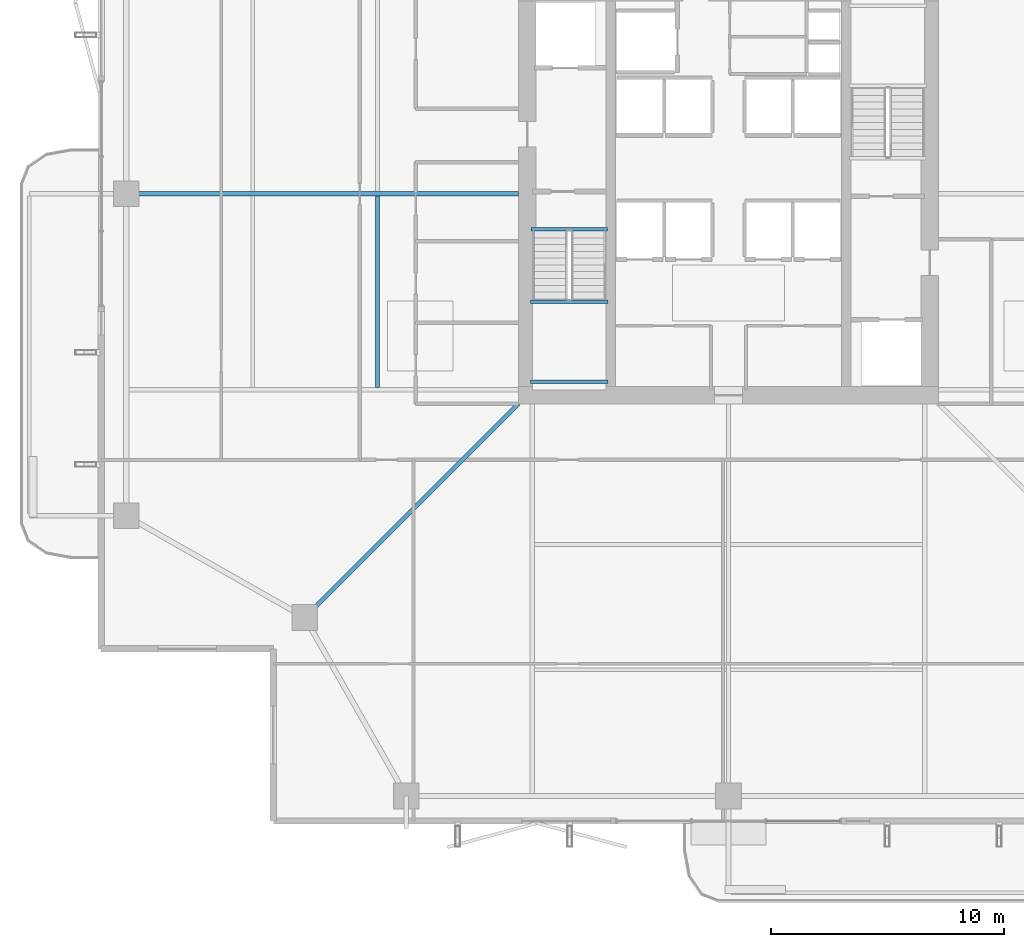
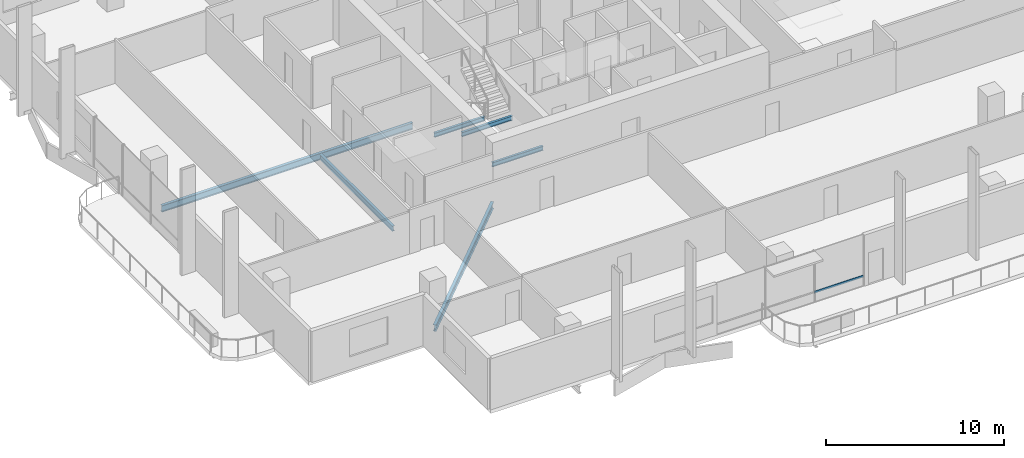
# One storey, part 5 of 24: 6 beams, 1 member, 1 element without a shape of its own.
"""IFC4 building model written with IfcOpenShell, lengths in metres."""

from ifc_helpers import new_model, si_unit, direction, frame, origin, origin_2d, place, context, subcontext, project, spatial, hollow_rectangle, i_section, extrude, material, layer, layer_set, material_profile, profile_set, type_object, element, aggregate, save


model = new_model("IFC4")

# Units and contexts
model_context = context("Model", 3, precision=1e-05, world=origin(), true_north=direction((0.0, 1.0)))
body_context = subcontext(model_context, "Body", "Model", "MODEL_VIEW")
ifc_project = project(units=[si_unit("LENGTHUNIT", "METRE"), si_unit("AREAUNIT", "SQUARE_METRE"), si_unit("VOLUMEUNIT", "CUBIC_METRE"), si_unit("PLANEANGLEUNIT", "RADIAN"), si_unit("MASSUNIT", "GRAM", prefix="KILO")], contexts=[model_context])

# Site, building, storey
site_placement = place(None, origin())
site = spatial("IfcSite", under=ifc_project, at=site_placement, CompositionType="ELEMENT")
building_placement = place(site_placement, origin())
building = spatial("IfcBuilding", under=site, at=building_placement, Name="Belovzor Exchange Tower", CompositionType="ELEMENT")
storey_placement = place(building_placement, frame((0.0, 0.0, 211.199951171875)))
storey = spatial("IfcBuildingStorey", under=building, at=storey_placement, Name="L52", CompositionType="ELEMENT", Elevation=211.199951171875)

# Beams
ifc_material_1 = material(Name="Steel S355", Category="steel")
ifc_material_profile_1 = material_profile(ifc_material_1, i_section(OverallWidth=0.169921875, OverallDepth=0.360107421875, WebThickness=0.008056640625, FlangeThickness=0.0126953125, at=origin_2d()))
ifc_profile_set_1 = profile_set([ifc_material_profile_1], Name="Steel S355")
beam_type_1 = type_object("IfcBeamType", Name="Secondary Infill Floor Joist IPE 360", PredefinedType="BEAM", material=ifc_profile_set_1)
beam_1_placement = place(storey_placement, frame((13.77197265625, 20.4951171875, -0.429931640625), z_axis=(0.0, 1.0, 0.0), x_axis=(-1.0, 0.0, 0.0)))
element("IfcBeam", 1, at=beam_1_placement, inside=storey, type_object=beam_type_1, Name="FJ-360 Secondary Infill Floor Joist IPE 360", PredefinedType="BEAM", context=body_context, shape_type="SweptSolid", body=[
    extrude(i_section(OverallWidth=0.169921875, OverallDepth=0.360107421875, WebThickness=0.008056640625, FlangeThickness=0.0126953125, at=origin_2d()), origin(), (0.0, 0.0, 1.0), 8.2099609375),
])
ifc_material_2 = material(Name="Steel S355", Category="steel")
ifc_material_profile_2 = material_profile(ifc_material_2, i_section(OverallWidth=0.14990234375, OverallDepth=0.300048828125, WebThickness=0.007080078125, FlangeThickness=0.0107421875, at=origin_2d()))
ifc_profile_set_2 = profile_set([ifc_material_profile_2], Name="Steel S355")
beam_type_2 = type_object("IfcBeamType", Name="Secondary Trim Floor Joist IPE 300", PredefinedType="BEAM", material=ifc_profile_set_2)
for number, where, z_axis, x_axis, name in (
    (2, (20.320068359375, 24.179931640625, 1.525146484375), (1.0, 0.0, 0.0), (0.0, 1.0, 0.0), "FJ-300 Secondary Trim Floor Joist IPE 300"),
    (3, (20.320068359375, 20.75, 1.525146484375), (1.0, 0.0, 0.0), (0.0, 1.0, 0.0), "FJ-300 Secondary Trim Floor Joist IPE 300"),
):
    element("IfcBeam", number, at=place(storey_placement, frame(where, z_axis=z_axis, x_axis=x_axis)), inside=storey, type_object=beam_type_2, Name=name, PredefinedType="BEAM", context=body_context, shape_type="SweptSolid", body=[
        extrude(i_section(OverallWidth=0.14990234375, OverallDepth=0.300048828125, WebThickness=0.007080078125, FlangeThickness=0.0107421875, at=origin_2d()), origin(), (0.0, 0.0, 1.0), 3.309814453125),
    ])
beam_2_placement = place(storey_placement, frame((20.340087890625, 27.280029296875, -0.39990234375), z_axis=(1.0, 0.0, 0.0), x_axis=(0.0, 1.0, 0.0)))
element("IfcBeam", 4, at=beam_2_placement, inside=storey, type_object=beam_type_2, Name="FJ-300 Secondary Trim Floor Joist IPE 300", PredefinedType="BEAM", context=body_context, shape_type="SweptSolid", body=[
    extrude(i_section(OverallWidth=0.14990234375, OverallDepth=0.300048828125, WebThickness=0.007080078125, FlangeThickness=0.0107421875, at=origin_2d()), origin(), (0.0, 0.0, 1.0), 3.27001953125),
])

# Curtain wall, member
ifc_material_3 = material(Name="Anodised Aluminium Framing", Category="aluminium")
ifc_layer = layer(ifc_material_3, 0.179931640625)
ifc_layer_set = layer_set([ifc_layer], Name="Anodised Aluminium Framing")
curtain_wall_type = type_object("IfcCurtainWallType", Name="Recessed Loggia Low-Iron Triple-Glazed Curtain Wall", PredefinedType="NOTDEFINED", material=ifc_layer_set)
curtain_wall_placement = place(storey_placement, origin())
curtain_wall = element("IfcCurtainWall", 5, at=curtain_wall_placement, inside=storey, type_object=curtain_wall_type, Name="CW3 Recessed Loggia Low-Iron Triple-Glazed Curtain Wall L52", PredefinedType="NOTDEFINED")
ifc_material_4 = material(Name="Steel S355", Category="steel")
ifc_material_profile_3 = material_profile(ifc_material_4, hollow_rectangle(XDim=0.06005859375, YDim=0.14990234375, WallThickness=0.00390625, at=origin_2d()))
ifc_profile_set_3 = profile_set([ifc_material_profile_3], Name="Steel S355")
member_type = type_object("IfcMemberType", Name="Thermally Broken Curtain Wall Transom 150x60", PredefinedType="USERDEFINED", material=ifc_profile_set_3)
member_placement = place(storey_placement, frame((33.592041015625, 1.929931640625, 0.630126953125), z_axis=(-1.0, 0.0, 0.0), x_axis=(0.0, -1.0, 0.0)))
member = element("IfcMember", 6, at=member_placement, type_object=member_type, Name="CW-T150 Curtain Wall Transom 1", ObjectType="TRANSOM", PredefinedType="USERDEFINED", context=body_context, shape_type="SweptSolid", body=[
    extrude(hollow_rectangle(XDim=0.06005859375, YDim=0.14990234375, WallThickness=0.00390625, at=origin_2d()), origin(), (0.0, 0.0, 1.0), 3.18408203125),
])
aggregate(curtain_wall, [member])

# Beams
ifc_material_5 = material(Name="Steel S355", Category="steel")
ifc_material_profile_4 = material_profile(ifc_material_5, i_section(OverallWidth=0.18994140625, OverallDepth=0.449951171875, WebThickness=0.009521484375, FlangeThickness=0.0146484375, at=origin_2d()))
ifc_profile_set_4 = profile_set([ifc_material_profile_4], Name="Steel S355")
beam_type_3 = type_object("IfcBeamType", Name="Zone 2-4 Radial Composite Floor Beam IPE 450", PredefinedType="BEAM", material=ifc_profile_set_4)
beam_3_placement = place(storey_placement, frame((19.800048828125, 28.800048828125, -0.474853515625), z_axis=(-1.0, 0.0, 0.0), x_axis=(0.0, -1.0, 0.0)))
element("IfcBeam", 7, at=beam_3_placement, inside=storey, type_object=beam_type_3, Name="FB-450 Zone 2-4 Radial Composite Floor Beam IPE 450", PredefinedType="BEAM", context=body_context, shape_type="SweptSolid", body=[
    extrude(i_section(OverallWidth=0.18994140625, OverallDepth=0.449951171875, WebThickness=0.009521484375, FlangeThickness=0.0146484375, at=origin_2d()), origin(), (0.0, 0.0, 1.0), 16.316162109375),
])
beam_4_placement = place(storey_placement, frame((19.800048828125, 19.800048828125, -0.474853515625), z_axis=(-0.707106781187, -0.707106781187, 0.0), x_axis=(0.707106781187, -0.707106781187, 0.0)))
element("IfcBeam", 8, at=beam_4_placement, inside=storey, type_object=beam_type_3, Name="FB-450 Zone 2-4 Radial Composite Floor Beam IPE 450", PredefinedType="BEAM", context=body_context, shape_type="SweptSolid", body=[
    extrude(i_section(OverallWidth=0.18994140625, OverallDepth=0.449951171875, WebThickness=0.009521484375, FlangeThickness=0.0146484375, at=origin_2d()), origin(), (0.0, 0.0, 1.0), 12.551025390625),
])

save(model, "model.ifc")
